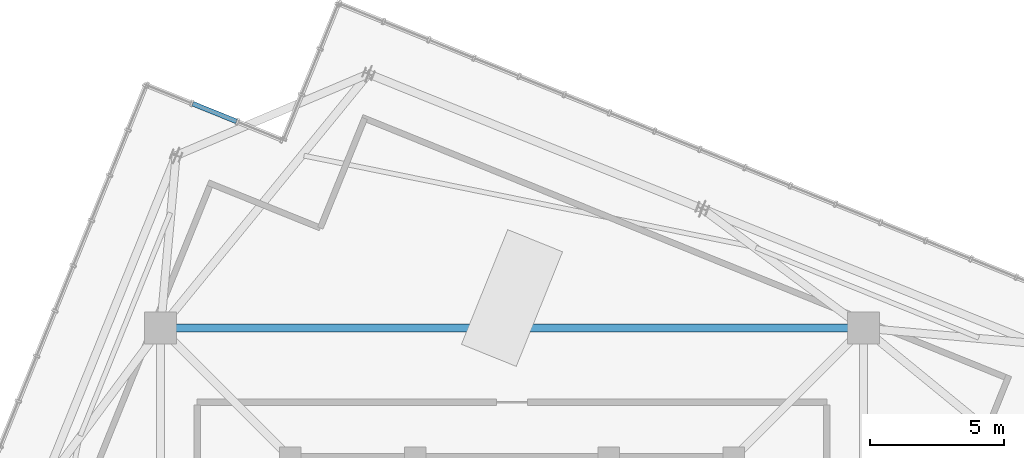
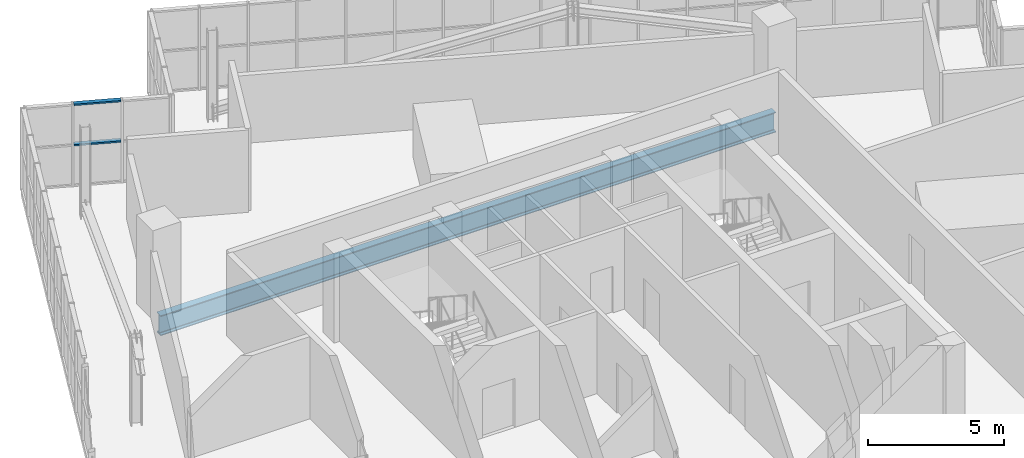
# One storey, part 13 of 26: 2 members, 1 beam, 1 element without a shape of its own.
"""IFC4 building model written with IfcOpenShell, lengths in metres."""

from ifc_helpers import new_model, si_unit, direction, frame, origin, origin_2d, place, context, subcontext, project, spatial, hollow_rectangle, i_section, extrude, source, transform, mapped, material, layer, layer_set, material_profile, profile_set, type_object, element, aggregate, save


model = new_model("IFC4")

# Units and contexts
model_context = context("Model", 3, precision=1e-05, world=origin(), true_north=direction((0.0, 1.0)))
body_context = subcontext(model_context, "Body", "Model", "MODEL_VIEW")
ifc_project = project(units=[si_unit("LENGTHUNIT", "METRE"), si_unit("AREAUNIT", "SQUARE_METRE"), si_unit("VOLUMEUNIT", "CUBIC_METRE"), si_unit("PLANEANGLEUNIT", "RADIAN"), si_unit("MASSUNIT", "GRAM", prefix="KILO"), si_unit("THERMODYNAMICTEMPERATUREUNIT", "KELVIN")], contexts=[model_context])

# Site, building, storey
site_placement = place(None, origin())
site = spatial("IfcSite", under=ifc_project, at=site_placement, CompositionType="ELEMENT")
building_placement = place(site_placement, origin())
building = spatial("IfcBuilding", under=site, at=building_placement, Name="Kosmvard Interchange Tower", CompositionType="ELEMENT")
storey_placement = place(building_placement, frame((0.0, 0.0, 337.60009765625)))
storey = spatial("IfcBuildingStorey", under=building, at=storey_placement, Name="L83", CompositionType="ELEMENT", Elevation=337.60009765625)

# Beam
ifc_material_1 = material(Name="Steel S355", Category="steel")
ifc_material_profile_1 = material_profile(ifc_material_1, i_section(OverallWidth=0.300048828125, OverallDepth=0.89990234375, WebThickness=0.0185546875, FlangeThickness=0.034912109375, FilletRadius=0.030029296875, at=origin_2d()), Name="HEB 900")
ifc_profile_set_1 = profile_set([ifc_material_profile_1], Name="Steel S355")
beam_type = type_object("IfcBeamType", Name="Mega-Column Ring Girder HEB 900 S355", PredefinedType="BEAM", material=ifc_profile_set_1)
shared_shape_1 = source(origin(), body_context, "Body", "SweptSolid", [
    extrude(i_section(OverallWidth=0.300048828125, OverallDepth=0.89990234375, WebThickness=0.0185546875, FlangeThickness=0.034912109375, FilletRadius=0.030029296875, at=origin_2d()), origin(), (0.0, 0.0, 1.0), 26.162109375),
])
beam_placement = place(storey_placement, frame((13.0810546875, 13.0810546875, -0.75), z_axis=(-1.0, 0.0, 0.0), x_axis=(0.0, -1.0, 0.0)))
element("IfcBeam", 1, at=beam_placement, inside=storey, type_object=beam_type, Name="L83 Mega-Column Ring Girder 3", PredefinedType="BEAM", context=body_context, shape_type="MappedRepresentation", body=[
    mapped(shared_shape_1, transform((0.0, 0.0, 0.0), scale=1.0)),
])

# Curtain wall, members
ifc_material_2 = material(Name="Architectural anodised aluminium", Category="aluminium")
ifc_layer = layer(ifc_material_2, 0.25, Name="Architectural anodised aluminium")
ifc_layer_set = layer_set([ifc_layer], Name="Architectural anodised aluminium")
curtain_wall_type = type_object("IfcCurtainWallType", Name="CW-6 Illuminated Crown Lantern Curtain Wall", PredefinedType="NOTDEFINED", material=ifc_layer_set)
curtain_wall_placement = place(storey_placement, origin())
curtain_wall = element("IfcCurtainWall", 2, at=curtain_wall_placement, inside=storey, type_object=curtain_wall_type, Name="L83 Crown Lantern Glazing Face 06", PredefinedType="NOTDEFINED")
ifc_material_profile_2 = material_profile(ifc_material_2, hollow_rectangle(XDim=0.179931640625, YDim=0.070068359375, WallThickness=0.0048828125, at=origin_2d()), Name="CWT 180x70x5")
ifc_profile_set_2 = profile_set([ifc_material_profile_2], Name="Architectural anodised aluminium")
member_type = type_object("IfcMemberType", Name="Heavy Lantern CW Transom 180x70 Aluminium", PredefinedType="USERDEFINED", material=ifc_profile_set_2)
shared_shape_2 = source(origin(), body_context, "Body", "SweptSolid", [
    extrude(hollow_rectangle(XDim=0.179931640625, YDim=0.070068359375, WallThickness=0.0048828125, at=origin_2d()), origin(), (0.0, 0.0, 1.0), 1.75341796875),
])
member_1_placement = place(storey_placement, frame((-10.257568359375, 20.775390625, 1.849853515625), z_axis=(-0.927203712676, 0.37455743912, 0.0), x_axis=(-0.37455743912, -0.927203712676, 0.0)))
member_1 = element("IfcMember", 3, at=member_1_placement, type_object=member_type, Name="CW-6 transom 2.2", ObjectType="TRANSOM", PredefinedType="USERDEFINED", context=body_context, shape_type="MappedRepresentation", body=[
    mapped(shared_shape_2, transform((0.0, 0.0, 0.0), scale=1.0)),
])
member_2_placement = place(storey_placement, frame((-10.257568359375, 20.775390625, 3.664794921875), z_axis=(-0.927203712676, 0.37455743912, 0.0), x_axis=(-0.37455743912, -0.927203712676, 0.0)))
member_2 = element("IfcMember", 4, at=member_2_placement, type_object=member_type, Name="CW-6 transom 2.3", ObjectType="TRANSOM", PredefinedType="USERDEFINED", context=body_context, shape_type="MappedRepresentation", body=[
    mapped(shared_shape_2, transform((0.0, 0.0, 0.0), scale=1.0)),
])
aggregate(curtain_wall, [member_1, member_2])

save(model, "model.ifc")
